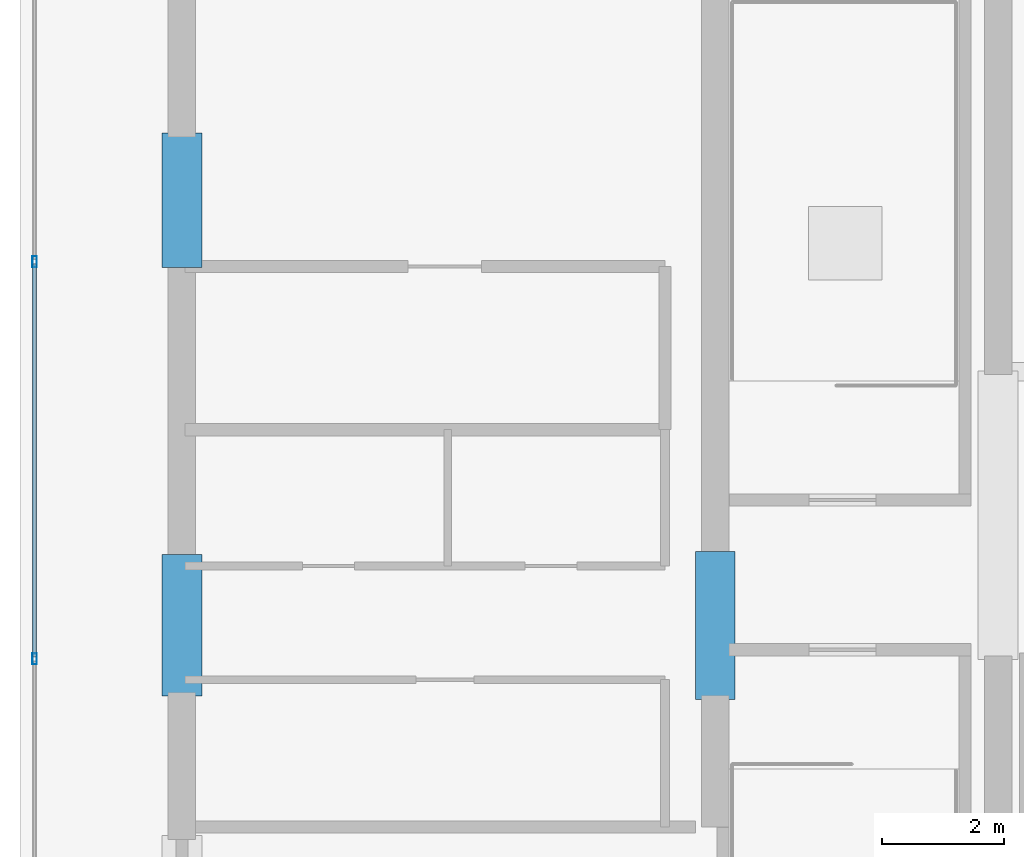
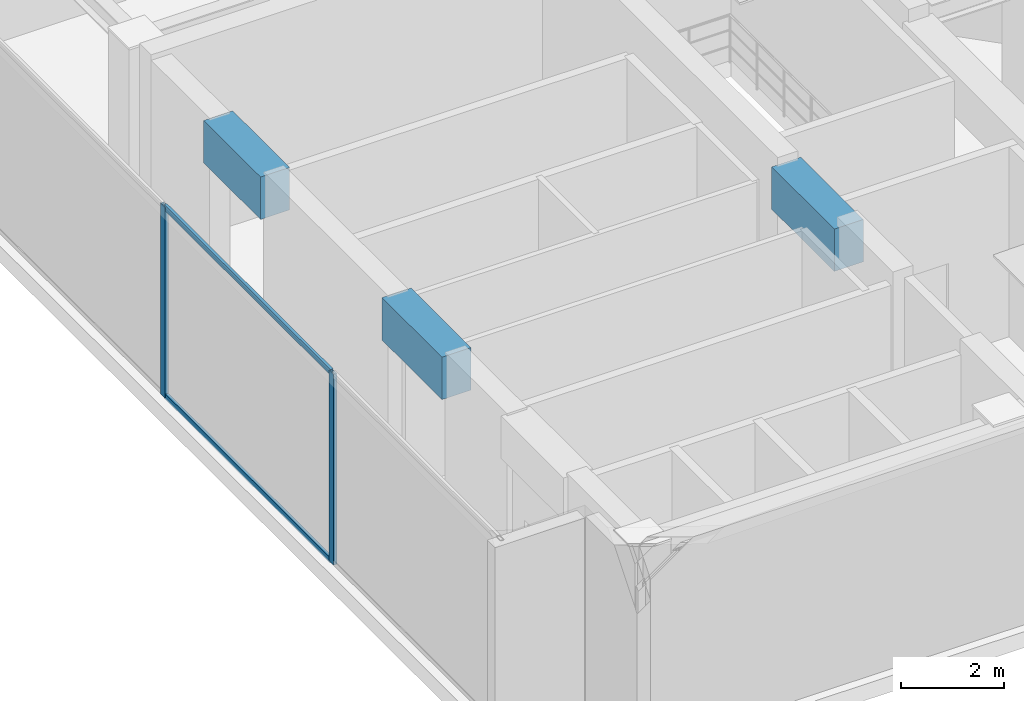
# One storey, part 4 of 22: 4 members, 3 beams, 1 element without a shape of its own.
"""IFC4 building model written with IfcOpenShell, lengths in metres."""

import ifcopenshell
import ifcopenshell.guid

model = None  # the IFC model being written
_history = None  # IfcOwnerHistory: only IFC2X3 demands one
_inside = {}  # id of a spatial element -> (the spatial element, [elements in it])
_under = {}  # id of a project, library or spatial element -> (it, [spatial elements below it])
_declared = {}  # id of a project -> (the project, [libraries it declares])
_typed = {}  # id of a type object -> (the type object, [elements of that type])
_made_of = {}  # id of a material, layer set ... -> (it, [elements and type objects made of it])


def new_model(schema):
    """Start an empty IFC model of exactly this schema.

    Asked for "IFC4X3", IfcOpenShell would pick the latest addendum, in which some entities
    have other attributes; the version numbers below select the first issue.
    IFC2X3 requires an IfcOwnerHistory on every rooted entity: one is made here for all.
    """
    global model, _history
    if schema == "IFC4X3":
        model = ifcopenshell.file(schema_version=(4, 3, 0, 0))
    else:
        model = ifcopenshell.file(schema=schema)
    _inside.clear()
    _under.clear()
    _declared.clear()
    _typed.clear()
    _made_of.clear()
    _history = None
    if model.schema == "IFC2X3":
        org = make("IfcOrganization", Name="unknown")
        user = make(
            "IfcPersonAndOrganization",
            ThePerson=make("IfcPerson", FamilyName="unknown"),
            TheOrganization=org,
        )
        app = make(
            "IfcApplication",
            ApplicationDeveloper=org,
            Version="unknown",
            ApplicationFullName="unknown",
            ApplicationIdentifier="unknown",
        )
        _history = make(
            "IfcOwnerHistory",
            OwningUser=user,
            OwningApplication=app,
            ChangeAction="ADDED",
            CreationDate=0,
        )
    return model


def make(cls, **values):
    """One entity of the class cls with the attributes given. An attribute that is None is left unset."""
    return model.create_entity(
        cls, **{name: value for name, value in values.items() if value is not None}
    )


def rooted(cls, **values):
    """An entity with a GlobalId (a new one), such as an element, a storey or a relation."""
    return make(cls, GlobalId=ifcopenshell.guid.new(), OwnerHistory=_history, **values)


def si_unit(unit_type, name, prefix=None):
    """IfcSIUnit, for example si_unit("LENGTHUNIT", "METRE", prefix="MILLI")."""
    return make("IfcSIUnit", UnitType=unit_type, Prefix=prefix, Name=name)


def assignment(units):
    """IfcUnitAssignment: the units of a project."""
    return None if units is None else make("IfcUnitAssignment", Units=units)


def point(xyz):
    """IfcCartesianPoint."""
    return None if xyz is None else make("IfcCartesianPoint", Coordinates=xyz)


def direction(xyz):
    """IfcDirection."""
    return None if xyz is None else make("IfcDirection", DirectionRatios=xyz)


def frame(location, z_axis=None, x_axis=None):
    """IfcAxis2Placement3D, a coordinate frame: its origin and axes. An axis left out is left unset."""
    return make(
        "IfcAxis2Placement3D",
        Location=point(location),
        Axis=direction(z_axis),
        RefDirection=direction(x_axis),
    )


def frame_2d(location, x_axis=None):
    """IfcAxis2Placement2D, a coordinate frame in the plane: its origin and x axis."""
    return make(
        "IfcAxis2Placement2D", Location=point(location), RefDirection=direction(x_axis)
    )


def origin():
    """The frame at (0, 0, 0) with its axes left unset."""
    return frame((0.0, 0.0, 0.0))


def origin_with_axes():
    """The frame at (0, 0, 0) with the z axis (0, 0, 1) and the x axis (1, 0, 0) written out."""
    return frame((0.0, 0.0, 0.0), z_axis=(0.0, 0.0, 1.0), x_axis=(1.0, 0.0, 0.0))


def origin_2d():
    """The frame at (0, 0) in the plane with its x axis left unset."""
    return frame_2d((0.0, 0.0))


def place(relative_to, where):
    """IfcLocalPlacement: puts the frame where relative to a parent placement (None: the world)."""
    return make(
        "IfcLocalPlacement", PlacementRelTo=relative_to, RelativePlacement=where
    )


def context(
    kind, dimensions, precision=None, world=None, true_north=None, identifier=None
):
    """IfcGeometricRepresentationContext, for example the 3D "Model" context."""
    return make(
        "IfcGeometricRepresentationContext",
        ContextIdentifier=identifier,
        ContextType=kind,
        CoordinateSpaceDimension=dimensions,
        Precision=precision,
        WorldCoordinateSystem=world,
        TrueNorth=true_north,
    )


def subcontext(parent, identifier, kind, view, scale=None):
    """IfcGeometricRepresentationSubContext, for example "Body" below "Model"."""
    return make(
        "IfcGeometricRepresentationSubContext",
        ContextIdentifier=identifier,
        ContextType=kind,
        ParentContext=parent,
        TargetScale=scale,
        TargetView=view,
    )


def project(units=None, contexts=None):
    """IfcProject with its units and contexts."""
    return rooted(
        "IfcProject",
        Name="project",
        RepresentationContexts=contexts,
        UnitsInContext=assignment(units),
    )


def spatial(cls, under=None, at=None, **own):
    """A site, building, storey or space (cls), placed at a placement, below another one or the project."""
    s = rooted(cls, ObjectPlacement=at, **own)
    if under is not None:
        _under.setdefault(under.id(), (under, []))[1].append(s)
    return s


def profile(cls, at=None, kind="AREA", **sizes):
    """A parametric profile (cls). Its sizes go by their IFC names, for example OverallWidth=200.0."""
    return make(cls, ProfileType=kind, Position=at, **sizes)


def rectangle(**sizes):
    """IfcRectangleProfileDef."""
    return profile("IfcRectangleProfileDef", **sizes)


def hollow_rectangle(**sizes):
    """IfcRectangleHollowProfileDef."""
    return profile("IfcRectangleHollowProfileDef", **sizes)


def extrude(swept, where, along, depth):
    """IfcExtrudedAreaSolid: the profile swept, set in the frame where, extruded along a direction by depth."""
    return make(
        "IfcExtrudedAreaSolid",
        SweptArea=swept,
        Position=where,
        ExtrudedDirection=direction(along),
        Depth=depth,
    )


def shape(context_of_items, identifier, shape_type, items):
    """IfcShapeRepresentation: the items that make up one representation, for example the "Body"."""
    return make(
        "IfcShapeRepresentation",
        ContextOfItems=context_of_items,
        RepresentationIdentifier=identifier,
        RepresentationType=shape_type,
        Items=items,
    )


def source(mapping_origin, context_of_items, identifier, shape_type, items):
    """IfcRepresentationMap: a shape defined once, which mapped items show again and again."""
    return make(
        "IfcRepresentationMap",
        MappingOrigin=mapping_origin,
        MappedRepresentation=shape(context_of_items, identifier, shape_type, items),
    )


def transform(
    local_origin,
    x_axis=None,
    y_axis=None,
    z_axis=None,
    scale=None,
    scale2=None,
    scale3=None,
    uniform=True,
):
    """IfcCartesianTransformationOperator3D, or its non-uniform kind. x_axis, y_axis, z_axis: its Axis1, 2, 3."""
    if uniform:
        return make(
            "IfcCartesianTransformationOperator3D",
            Axis1=direction(x_axis),
            Axis2=direction(y_axis),
            LocalOrigin=point(local_origin),
            Scale=scale,
            Axis3=direction(z_axis),
        )
    return make(
        "IfcCartesianTransformationOperator3DnonUniform",
        Axis1=direction(x_axis),
        Axis2=direction(y_axis),
        LocalOrigin=point(local_origin),
        Scale=scale,
        Axis3=direction(z_axis),
        Scale2=scale2,
        Scale3=scale3,
    )


def mapped(mapping_source, mapping_target):
    """IfcMappedItem: shows the shape of a source again, moved by a transform."""
    return make(
        "IfcMappedItem", MappingSource=mapping_source, MappingTarget=mapping_target
    )


def material(Name=None, Category=None):
    """IfcMaterial."""
    return make("IfcMaterial", Name=Name, Category=Category)


def layer(
    of_material, thickness, ventilated=None, Name=None, Category=None, Priority=None
):
    """IfcMaterialLayer: one layer of a wall or slab, of a material (None: an air gap)."""
    return make(
        "IfcMaterialLayer",
        Material=of_material,
        LayerThickness=thickness,
        IsVentilated=ventilated,
        Name=Name,
        Category=Category,
        Priority=Priority,
    )


def layer_set(layers, Name=None):
    """IfcMaterialLayerSet."""
    return make("IfcMaterialLayerSet", MaterialLayers=layers, LayerSetName=Name)


def material_profile(
    of_material, cross_section, Name=None, Category=None, Priority=None
):
    """IfcMaterialProfile: a cross section and its material."""
    return make(
        "IfcMaterialProfile",
        Name=Name,
        Material=of_material,
        Profile=cross_section,
        Priority=Priority,
        Category=Category,
    )


def profile_set(profiles, Name=None, composite=None):
    """IfcMaterialProfileSet."""
    return make(
        "IfcMaterialProfileSet",
        Name=Name,
        MaterialProfiles=profiles,
        CompositeProfile=composite,
    )


def made_of(thing, what):
    """Note that an element or type object is made of a material, layer set ...; save() writes the relation."""
    if what is not None:
        _made_of.setdefault(what.id(), (what, []))[1].append(thing)
    return thing


def type_object(cls, material=None, **own):
    """A type object (cls), such as IfcWallType, which elements share."""
    return made_of(rooted(cls, **own), material)


def element(
    cls,
    number,
    at=None,
    inside=None,
    cuts=None,
    type_object=None,
    material=None,
    context=None,
    identifier="Body",
    shape_type=None,
    held_by="IfcProductDefinitionShape",
    body=None,
    shapes=None,
    **own,
):
    """One element of the class cls, such as IfcWall. Its Tag is "e" and its number.

    at: its placement. inside: the storey or other place that contains it. cuts: it is an
    opening in that element (IfcRelVoidsElement). A single representation is given by context,
    identifier, shape_type and body (its items); several are given by shapes. held_by: the class
    of the entity that holds the representations. save() writes the other relations.
    """
    e = rooted(cls, Tag="e%d" % number, ObjectPlacement=at, **own)
    if body is not None:
        shapes = [shape(context, identifier, shape_type, body)]
    if shapes is not None:
        e.Representation = make(held_by, Representations=shapes)
    if inside is not None:
        _inside.setdefault(inside.id(), (inside, []))[1].append(e)
    if cuts is not None:
        rooted(
            "IfcRelVoidsElement", RelatingBuildingElement=cuts, RelatedOpeningElement=e
        )
    if type_object is not None:
        _typed.setdefault(type_object.id(), (type_object, []))[1].append(e)
    return made_of(e, material)


def aggregate(whole, parts):
    """IfcRelAggregates: a whole, such as a stair, and the parts it consists of."""
    return rooted("IfcRelAggregates", RelatingObject=whole, RelatedObjects=parts)


def save(model, path):
    """Write the relations noted so far, then the file.

    IfcRelAggregates (storeys below a building ...), IfcRelContainedInSpatialStructure (elements
    in a storey), IfcRelDefinesByType, IfcRelAssociatesMaterial and IfcRelDeclares: one each for
    every whole, place, type object, material and project.
    """
    for whole, parts in _under.values():
        aggregate(whole, parts)
    for where, things in _inside.values():
        rooted(
            "IfcRelContainedInSpatialStructure",
            RelatedElements=things,
            RelatingStructure=where,
        )
    for kind, things in _typed.values():
        rooted("IfcRelDefinesByType", RelatedObjects=things, RelatingType=kind)
    for what, things in _made_of.values():
        rooted("IfcRelAssociatesMaterial", RelatedObjects=things, RelatingMaterial=what)
    for by, libraries in _declared.values():
        rooted("IfcRelDeclares", RelatingContext=by, RelatedDefinitions=libraries)
    model.write(path)


model = new_model("IFC4")

# Units and contexts
model_context = context("Model", 3, precision=1e-05, world=origin(), true_north=direction((0.0, 1.0)))
body_context = subcontext(model_context, "Body", "Model", "MODEL_VIEW")
ifc_project = project(units=[si_unit("LENGTHUNIT", "METRE"), si_unit("AREAUNIT", "SQUARE_METRE"), si_unit("VOLUMEUNIT", "CUBIC_METRE"), si_unit("PLANEANGLEUNIT", "RADIAN"), si_unit("MASSUNIT", "GRAM", prefix="KILO")], contexts=[model_context])

# Site, building, storey
site_placement = place(None, origin())
site = spatial("IfcSite", under=ifc_project, at=site_placement, CompositionType="ELEMENT")
building_placement = place(site_placement, origin())
building = spatial("IfcBuilding", under=site, at=building_placement, Name="Kolvaren Waterfront Exchange", CompositionType="ELEMENT")
storey_placement = place(building_placement, frame((0.0, 0.0, 360.39990234375)))
storey = spatial("IfcBuildingStorey", under=building, at=storey_placement, Name="RF", CompositionType="ELEMENT", Elevation=360.39990234375)

# Beams
ifc_material_1 = material(Name="Concrete C60/75", Category="concrete")
ifc_material_profile_1 = material_profile(ifc_material_1, rectangle(XDim=0.64990234375, YDim=1.0, at=origin_2d()), Name="RC-CB-1000x650")
ifc_profile_set_1 = profile_set([ifc_material_profile_1], Name="Concrete C60/75")
beam_type = type_object("IfcBeamType", Name="STR-CB-1000", PredefinedType="SPANDREL", material=ifc_profile_set_1)
beam_1_placement = place(storey_placement, frame((7.449951171875, 12.090087890625, 3.97998046875), z_axis=(0.0, 1.0, 0.0), x_axis=(-1.0, 0.0, 0.0)))
element("IfcBeam", 1, at=beam_1_placement, inside=storey, type_object=beam_type, Name="RF core coupling beam 4", PredefinedType="SPANDREL", context=body_context, shape_type="SweptSolid", body=[
    extrude(rectangle(XDim=0.64990234375, YDim=1.0, at=origin_2d()), origin(), (0.0, 0.0, 1.0), 2.31982421875),
])
beam_2_placement = place(storey_placement, frame((7.449951171875, 19.10009765625, 3.97998046875), z_axis=(0.0, 1.0, 0.0), x_axis=(-1.0, 0.0, 0.0)))
element("IfcBeam", 2, at=beam_2_placement, inside=storey, type_object=beam_type, Name="RF core coupling beam 5", PredefinedType="SPANDREL", context=body_context, shape_type="SweptSolid", body=[
    extrude(rectangle(XDim=0.64990234375, YDim=1.0, at=origin_2d()), origin(), (0.0, 0.0, 1.0), 2.199951171875),
])
beam_3_placement = place(storey_placement, frame((16.175048828125, 12.0400390625, 3.97998046875), z_axis=(0.0, 1.0, 0.0), x_axis=(-1.0, 0.0, 0.0)))
element("IfcBeam", 3, at=beam_3_placement, inside=storey, type_object=beam_type, Name="RF core coupling beam 6", PredefinedType="SPANDREL", context=body_context, shape_type="SweptSolid", body=[
    extrude(rectangle(XDim=0.64990234375, YDim=1.0, at=origin_2d()), origin(), (0.0, 0.0, 1.0), 2.419921875),
])

# Curtain wall, members
ifc_material_2 = material(Name="Anodised bronze aluminium 6063-T6", Category="aluminium")
ifc_layer = layer(ifc_material_2, 0.219970703125, Name="Anodised bronze aluminium 6063-T6")
ifc_layer_set = layer_set([ifc_layer], Name="Anodised bronze aluminium 6063-T6")
curtain_wall_type = type_object("IfcCurtainWallType", Name="ARC-CW-SYS5", PredefinedType="USERDEFINED", material=ifc_layer_set)
curtain_wall_placement = place(storey_placement, origin())
curtain_wall = element("IfcCurtainWall", 4, at=curtain_wall_placement, inside=storey, type_object=curtain_wall_type, Name="RF stick curtain wall CW5 (CW-RF-W)", ObjectType="STICK CURTAIN WALL", PredefinedType="USERDEFINED")
ifc_material_profile_2 = material_profile(ifc_material_2, hollow_rectangle(XDim=0.074951171875, YDim=0.179931640625, WallThickness=0.00439453125, at=origin_2d()), Name="ALU-MUL-180x75x4.5")
ifc_profile_set_2 = profile_set([ifc_material_profile_2], Name="Anodised bronze aluminium 6063-T6")
member_type_1 = type_object("IfcMemberType", Name="ARC-CWM-180", PredefinedType="MULLION", material=ifc_profile_set_2)
shared_shape_1 = source(origin_with_axes(), body_context, "Body", "SweptSolid", [
    extrude(hollow_rectangle(XDim=0.074951171875, YDim=0.179931640625, WallThickness=0.00439453125, at=origin_2d()), origin(), (0.0, 0.0, 1.0), 4.504638671875),
])
member_1_placement = place(storey_placement, frame((5.0400390625, 12.699951171875, 0.0), z_axis=(0.0, 0.0, 1.0), x_axis=(-1.0, 0.0, 0.0)))
member_1 = element("IfcMember", 5, at=member_1_placement, type_object=member_type_1, Name="CW5 mullion 2", PredefinedType="MULLION", context=body_context, shape_type="MappedRepresentation", body=[
    mapped(shared_shape_1, transform((0.0, 0.0, 0.0), x_axis=(1.0, 0.0, 0.0), y_axis=(0.0, 1.0, 0.0), z_axis=(0.0, 0.0, 1.0), scale=1.0)),
])
member_2_placement = place(storey_placement, frame((5.0400390625, 19.199951171875, 0.0), z_axis=(0.0, 0.0, 1.0), x_axis=(-1.0, 0.0, 0.0)))
member_2 = element("IfcMember", 6, at=member_2_placement, type_object=member_type_1, Name="CW5 mullion 3", PredefinedType="MULLION", context=body_context, shape_type="MappedRepresentation", body=[
    mapped(shared_shape_1, transform((0.0, 0.0, 0.0), x_axis=(1.0, 0.0, 0.0), y_axis=(0.0, 1.0, 0.0), z_axis=(0.0, 0.0, 1.0), scale=1.0)),
])
ifc_material_profile_3 = material_profile(ifc_material_2, hollow_rectangle(XDim=0.06494140625, YDim=0.1298828125, WallThickness=0.00390625, at=origin_2d()), Name="ALU-TRN-130x65x4")
ifc_profile_set_3 = profile_set([ifc_material_profile_3], Name="Anodised bronze aluminium 6063-T6")
member_type_2 = type_object("IfcMemberType", Name="ARC-CWT-130", PredefinedType="USERDEFINED", material=ifc_profile_set_3)
shared_shape_2 = source(origin_with_axes(), body_context, "Body", "SweptSolid", [
    extrude(hollow_rectangle(XDim=0.06494140625, YDim=0.1298828125, WallThickness=0.00390625, at=origin_2d()), origin(), (0.0, 0.0, 1.0), 6.425048828125),
])
member_3_placement = place(storey_placement, frame((5.0400390625, 12.737548828125, 0.03271484375), z_axis=(0.0, 1.0, 0.0), x_axis=(-1.0, 0.0, 0.0)))
member_3 = element("IfcMember", 7, at=member_3_placement, type_object=member_type_2, Name="CW5 transom 2.1", ObjectType="TRANSOM", PredefinedType="USERDEFINED", context=body_context, shape_type="MappedRepresentation", body=[
    mapped(shared_shape_2, transform((0.0, 0.0, 0.0), x_axis=(1.0, 0.0, 0.0), y_axis=(0.0, 1.0, 0.0), z_axis=(0.0, 0.0, 1.0), scale=1.0)),
])
member_4_placement = place(storey_placement, frame((5.0400390625, 12.737548828125, 4.47216796875), z_axis=(0.0, 1.0, 0.0), x_axis=(-1.0, 0.0, 0.0)))
member_4 = element("IfcMember", 8, at=member_4_placement, type_object=member_type_2, Name="CW5 transom 2.2", ObjectType="TRANSOM", PredefinedType="USERDEFINED", context=body_context, shape_type="MappedRepresentation", body=[
    mapped(shared_shape_2, transform((0.0, 0.0, 0.0), x_axis=(1.0, 0.0, 0.0), y_axis=(0.0, 1.0, 0.0), z_axis=(0.0, 0.0, 1.0), scale=1.0)),
])
aggregate(curtain_wall, [member_1, member_2, member_3, member_4])

save(model, "model.ifc")
